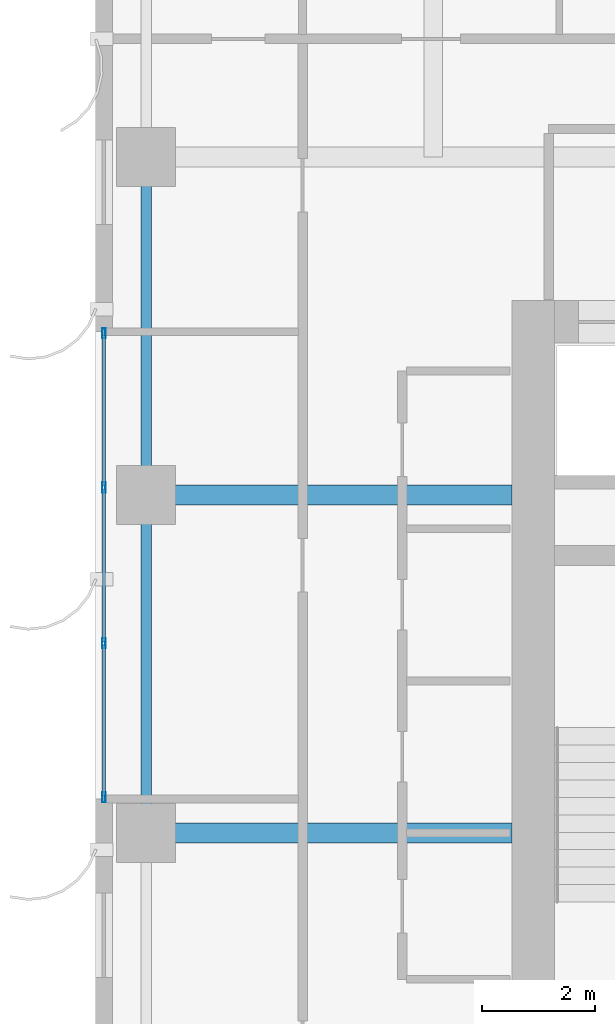
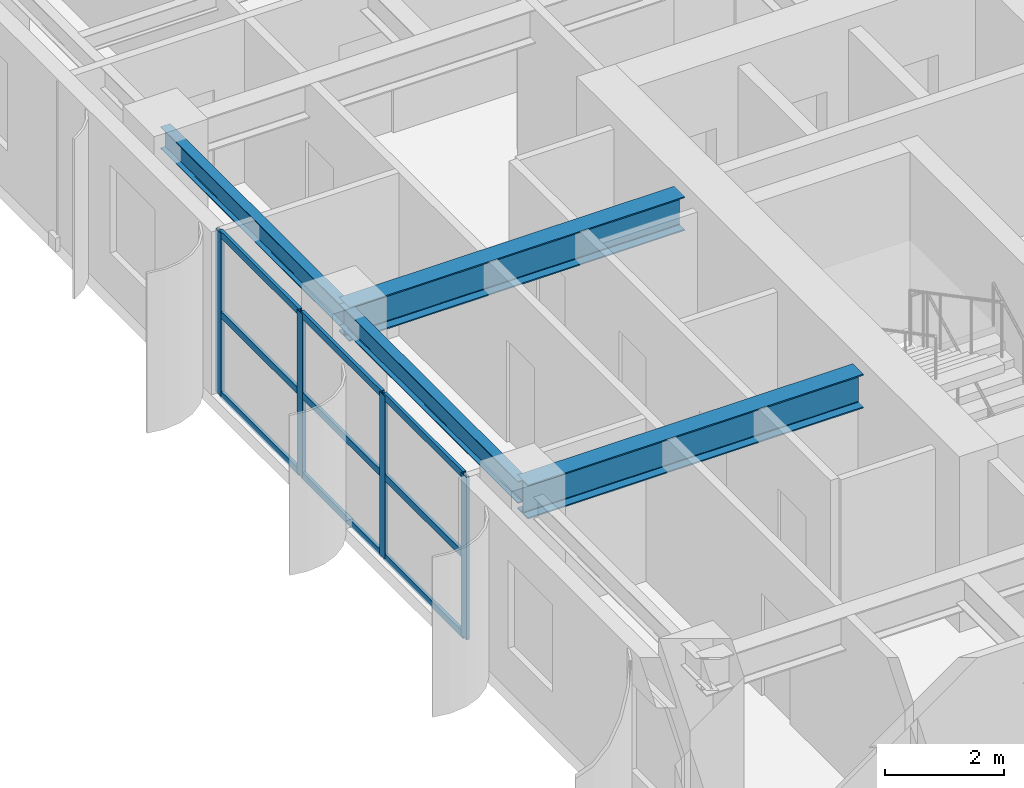
# One storey, part 5 of 19: 13 members, 4 beams, 1 element without a shape of its own.
"""IFC4 building model written with IfcOpenShell, lengths in metres."""

from ifc_helpers import new_model, si_unit, direction, frame, origin, origin_2d, place, context, subcontext, project, spatial, hollow_rectangle, i_section, extrude, source, transform, mapped, material, layer, layer_set, material_profile, profile_set, type_object, element, aggregate, save


model = new_model("IFC4")

# Units and contexts
model_context = context("Model", 3, precision=1e-05, world=origin(), true_north=direction((0.0, 1.0)))
body_context = subcontext(model_context, "Body", "Model", "MODEL_VIEW")
ifc_project = project(units=[si_unit("LENGTHUNIT", "METRE"), si_unit("AREAUNIT", "SQUARE_METRE"), si_unit("VOLUMEUNIT", "CUBIC_METRE"), si_unit("PLANEANGLEUNIT", "RADIAN"), si_unit("MASSUNIT", "GRAM", prefix="KILO")], contexts=[model_context])

# Site, building, storey
site_placement = place(None, origin())
site = spatial("IfcSite", under=ifc_project, at=site_placement, CompositionType="ELEMENT")
building_placement = place(site_placement, origin())
building = spatial("IfcBuilding", under=site, at=building_placement, Name="Khoralis Quay Care Tower", CompositionType="ELEMENT")
storey_placement = place(building_placement, frame((0.0, 0.0, 90.89990234375)))
storey = spatial("IfcBuildingStorey", under=building, at=storey_placement, Name="L23", CompositionType="ELEMENT", Elevation=90.89990234375)

# Beams
ifc_material_1 = material(Name="Steel S355", Category="steel")
ifc_material_profile_1 = material_profile(ifc_material_1, i_section(OverallWidth=0.18994140625, OverallDepth=0.449951171875, WebThickness=0.009521484375, FlangeThickness=0.0146484375, FilletRadius=0.02099609375, at=origin_2d()), Name="Steel S355")
ifc_profile_set_1 = profile_set([ifc_material_profile_1], Name="Steel S355")
beam_type_1 = type_object("IfcBeamType", Name="BM-IPE450", PredefinedType="SPANDREL", material=ifc_profile_set_1)
shared_shape_1 = source(origin(), body_context, "Body", "SweptSolid", [
    extrude(i_section(OverallWidth=0.18994140625, OverallDepth=0.449951171875, WebThickness=0.009521484375, FlangeThickness=0.0146484375, FilletRadius=0.02099609375, at=origin_2d()), origin(), (0.0, 0.0, 1.0), 6.0),
])
for number, where, z_axis, x_axis, name in (
    (1, (0.89990234375, 18.0, 3.114990234375), (0.0, 1.0, 0.0), (-1.0, 0.0, 0.0), "BM-TSP-L23-13"),
    (2, (0.89990234375, 24.0, 3.114990234375), (0.0, 1.0, 0.0), (-1.0, 0.0, 0.0), "BM-TSP-L23-14"),
):
    element("IfcBeam", number, at=place(storey_placement, frame(where, z_axis=z_axis, x_axis=x_axis)), inside=storey, type_object=beam_type_1, Name=name, PredefinedType="SPANDREL", context=body_context, shape_type="MappedRepresentation", body=[
        mapped(shared_shape_1, transform((0.0, 0.0, 0.0), scale=1.0)),
    ])
ifc_material_profile_2 = material_profile(ifc_material_1, i_section(OverallWidth=0.35498046875, OverallDepth=0.695068359375, WebThickness=0.015380859375, FlangeThickness=0.02490234375, FilletRadius=0.02001953125, at=origin_2d()), Name="Steel S355")
ifc_profile_set_2 = profile_set([ifc_material_profile_2], Name="Steel S355")
beam_type_2 = type_object("IfcBeamType", Name="BM-W690X217", PredefinedType="BEAM", material=ifc_profile_set_2)
shared_shape_2 = source(origin(), body_context, "Body", "SweptSolid", [
    extrude(i_section(OverallWidth=0.35498046875, OverallDepth=0.695068359375, WebThickness=0.015380859375, FlangeThickness=0.02490234375, FilletRadius=0.02001953125, at=origin_2d()), origin(), (0.0, 0.0, 1.0), 6.502197265625),
])
for number, where, z_axis, x_axis, name in (
    (3, (0.89990234375, 18.0, 2.99267578125), (1.0, 0.0, 0.0), (0.0, 1.0, 0.0), "BM-TGXW-L23-180"),
    (4, (0.89990234375, 24.0, 2.99267578125), (1.0, 0.0, 0.0), (0.0, 1.0, 0.0), "BM-TGXW-L23-240"),
):
    element("IfcBeam", number, at=place(storey_placement, frame(where, z_axis=z_axis, x_axis=x_axis)), inside=storey, type_object=beam_type_2, Name=name, PredefinedType="BEAM", context=body_context, shape_type="MappedRepresentation", body=[
        mapped(shared_shape_2, transform((0.0, 0.0, 0.0), scale=1.0)),
    ])

# Curtain wall, members
ifc_material_2 = material(Name="Pale anodised aluminium", Category="aluminium")
ifc_layer = layer(ifc_material_2, 0.169921875)
ifc_layer_set = layer_set([ifc_layer], Name="Pale anodised aluminium")
curtain_wall_type = type_object("IfcCurtainWallType", Name="CW-SYS-Z2", PredefinedType="NOTDEFINED", material=ifc_layer_set)
curtain_wall_placement = place(storey_placement, origin())
curtain_wall = element("IfcCurtainWall", 5, at=curtain_wall_placement, inside=storey, type_object=curtain_wall_type, Name="L23 Unitised Curtain Wall CW-L23-P1-E15", PredefinedType="NOTDEFINED")
ifc_material_profile_3 = material_profile(ifc_material_2, hollow_rectangle(XDim=0.06494140625, YDim=0.179931640625, WallThickness=0.00390625, at=origin_2d()), Name="Pale anodised aluminium")
ifc_profile_set_3 = profile_set([ifc_material_profile_3], Name="Pale anodised aluminium")
member_type_1 = type_object("IfcMemberType", Name="CW-MUL-180", PredefinedType="MULLION", material=ifc_profile_set_3)
shared_shape_3 = source(origin(), body_context, "Body", "SweptSolid", [
    extrude(hollow_rectangle(XDim=0.06494140625, YDim=0.179931640625, WallThickness=0.00390625, at=origin_2d()), origin(), (0.0, 0.0, 1.0), 3.340087890625),
])
member_1_placement = place(storey_placement, frame((0.14990234375, 26.8701171875, 0.0), z_axis=(0.0, 0.0, 1.0), x_axis=(1.0, 0.0, 0.0)))
member_1 = element("IfcMember", 6, at=member_1_placement, type_object=member_type_1, Name="CW2 mullion 1", PredefinedType="MULLION", context=body_context, shape_type="MappedRepresentation", body=[
    mapped(shared_shape_3, transform((0.0, 0.0, 0.0), scale=1.0)),
])
member_2_placement = place(storey_placement, frame((0.14990234375, 24.13330078125, 0.0), z_axis=(0.0, 0.0, 1.0), x_axis=(1.0, 0.0, 0.0)))
member_2 = element("IfcMember", 7, at=member_2_placement, type_object=member_type_1, Name="CW2 mullion 2", PredefinedType="MULLION", context=body_context, shape_type="MappedRepresentation", body=[
    mapped(shared_shape_3, transform((0.0, 0.0, 0.0), scale=1.0)),
])
member_3_placement = place(storey_placement, frame((0.14990234375, 21.36669921875, 0.0), z_axis=(0.0, 0.0, 1.0), x_axis=(1.0, 0.0, 0.0)))
member_3 = element("IfcMember", 8, at=member_3_placement, type_object=member_type_1, Name="CW2 mullion 3", PredefinedType="MULLION", context=body_context, shape_type="MappedRepresentation", body=[
    mapped(shared_shape_3, transform((0.0, 0.0, 0.0), scale=1.0)),
])
member_4_placement = place(storey_placement, frame((0.14990234375, 18.6298828125, 0.0), z_axis=(0.0, 0.0, 1.0), x_axis=(1.0, 0.0, 0.0)))
member_4 = element("IfcMember", 9, at=member_4_placement, type_object=member_type_1, Name="CW2 mullion 4", PredefinedType="MULLION", context=body_context, shape_type="MappedRepresentation", body=[
    mapped(shared_shape_3, transform((0.0, 0.0, 0.0), scale=1.0)),
])
ifc_material_profile_4 = material_profile(ifc_material_2, hollow_rectangle(XDim=0.06005859375, YDim=0.139892578125, WallThickness=0.00390625, at=origin_2d()), Name="Pale anodised aluminium")
ifc_profile_set_4 = profile_set([ifc_material_profile_4], Name="Pale anodised aluminium")
member_type_2 = type_object("IfcMemberType", Name="CW-TRN-140", PredefinedType="USERDEFINED", material=ifc_profile_set_4)
shared_shape_4 = source(origin(), body_context, "Body", "SweptSolid", [
    extrude(hollow_rectangle(XDim=0.06005859375, YDim=0.139892578125, WallThickness=0.00390625, at=origin_2d()), origin(), (0.0, 0.0, 1.0), 2.6767578125),
])
member_5_placement = place(storey_placement, frame((0.14990234375, 26.840087890625, 0.030029296875), z_axis=(0.0, -1.0, 0.0), x_axis=(1.0, 0.0, 0.0)))
member_5 = element("IfcMember", 10, at=member_5_placement, type_object=member_type_2, Name="CW2 transom 1.1", ObjectType="TRANSOM", PredefinedType="USERDEFINED", context=body_context, shape_type="MappedRepresentation", body=[
    mapped(shared_shape_4, transform((0.0, 0.0, 0.0), scale=1.0)),
])
member_6_placement = place(storey_placement, frame((0.14990234375, 26.840087890625, 1.670166015625), z_axis=(0.0, -1.0, 0.0), x_axis=(1.0, 0.0, 0.0)))
member_6 = element("IfcMember", 11, at=member_6_placement, type_object=member_type_2, Name="CW2 transom 1.2", ObjectType="TRANSOM", PredefinedType="USERDEFINED", context=body_context, shape_type="MappedRepresentation", body=[
    mapped(shared_shape_4, transform((0.0, 0.0, 0.0), scale=1.0)),
])
member_7_placement = place(storey_placement, frame((0.14990234375, 26.840087890625, 3.31005859375), z_axis=(0.0, -1.0, 0.0), x_axis=(1.0, 0.0, 0.0)))
member_7 = element("IfcMember", 12, at=member_7_placement, type_object=member_type_2, Name="CW2 transom 1.3", ObjectType="TRANSOM", PredefinedType="USERDEFINED", context=body_context, shape_type="MappedRepresentation", body=[
    mapped(shared_shape_4, transform((0.0, 0.0, 0.0), scale=1.0)),
])
member_8_placement = place(storey_placement, frame((0.14990234375, 21.336669921875, 0.030029296875), z_axis=(0.0, -1.0, 0.0), x_axis=(1.0, 0.0, 0.0)))
member_8 = element("IfcMember", 13, at=member_8_placement, type_object=member_type_2, Name="CW2 transom 3.1", ObjectType="TRANSOM", PredefinedType="USERDEFINED", context=body_context, shape_type="MappedRepresentation", body=[
    mapped(shared_shape_4, transform((0.0, 0.0, 0.0), scale=1.0)),
])
member_9_placement = place(storey_placement, frame((0.14990234375, 21.336669921875, 1.670166015625), z_axis=(0.0, -1.0, 0.0), x_axis=(1.0, 0.0, 0.0)))
member_9 = element("IfcMember", 14, at=member_9_placement, type_object=member_type_2, Name="CW2 transom 3.2", ObjectType="TRANSOM", PredefinedType="USERDEFINED", context=body_context, shape_type="MappedRepresentation", body=[
    mapped(shared_shape_4, transform((0.0, 0.0, 0.0), scale=1.0)),
])
member_10_placement = place(storey_placement, frame((0.14990234375, 21.336669921875, 3.31005859375), z_axis=(0.0, -1.0, 0.0), x_axis=(1.0, 0.0, 0.0)))
member_10 = element("IfcMember", 15, at=member_10_placement, type_object=member_type_2, Name="CW2 transom 3.3", ObjectType="TRANSOM", PredefinedType="USERDEFINED", context=body_context, shape_type="MappedRepresentation", body=[
    mapped(shared_shape_4, transform((0.0, 0.0, 0.0), scale=1.0)),
])
shared_shape_5 = source(origin(), body_context, "Body", "SweptSolid", [
    extrude(hollow_rectangle(XDim=0.06005859375, YDim=0.139892578125, WallThickness=0.00390625, at=origin_2d()), origin(), (0.0, 0.0, 1.0), 2.70654296875),
])
member_11_placement = place(storey_placement, frame((0.14990234375, 24.103271484375, 0.030029296875), z_axis=(0.0, -1.0, 0.0), x_axis=(1.0, 0.0, 0.0)))
member_11 = element("IfcMember", 16, at=member_11_placement, type_object=member_type_2, Name="CW2 transom 2.1", ObjectType="TRANSOM", PredefinedType="USERDEFINED", context=body_context, shape_type="MappedRepresentation", body=[
    mapped(shared_shape_5, transform((0.0, 0.0, 0.0), scale=1.0)),
])
member_12_placement = place(storey_placement, frame((0.14990234375, 24.103271484375, 1.670166015625), z_axis=(0.0, -1.0, 0.0), x_axis=(1.0, 0.0, 0.0)))
member_12 = element("IfcMember", 17, at=member_12_placement, type_object=member_type_2, Name="CW2 transom 2.2", ObjectType="TRANSOM", PredefinedType="USERDEFINED", context=body_context, shape_type="MappedRepresentation", body=[
    mapped(shared_shape_5, transform((0.0, 0.0, 0.0), scale=1.0)),
])
member_13_placement = place(storey_placement, frame((0.14990234375, 24.103271484375, 3.31005859375), z_axis=(0.0, -1.0, 0.0), x_axis=(1.0, 0.0, 0.0)))
member_13 = element("IfcMember", 18, at=member_13_placement, type_object=member_type_2, Name="CW2 transom 2.3", ObjectType="TRANSOM", PredefinedType="USERDEFINED", context=body_context, shape_type="MappedRepresentation", body=[
    mapped(shared_shape_5, transform((0.0, 0.0, 0.0), scale=1.0)),
])
aggregate(curtain_wall, [member_1, member_2, member_3, member_4, member_5, member_6, member_7, member_11, member_12, member_13, member_8, member_9, member_10])

save(model, "model.ifc")
